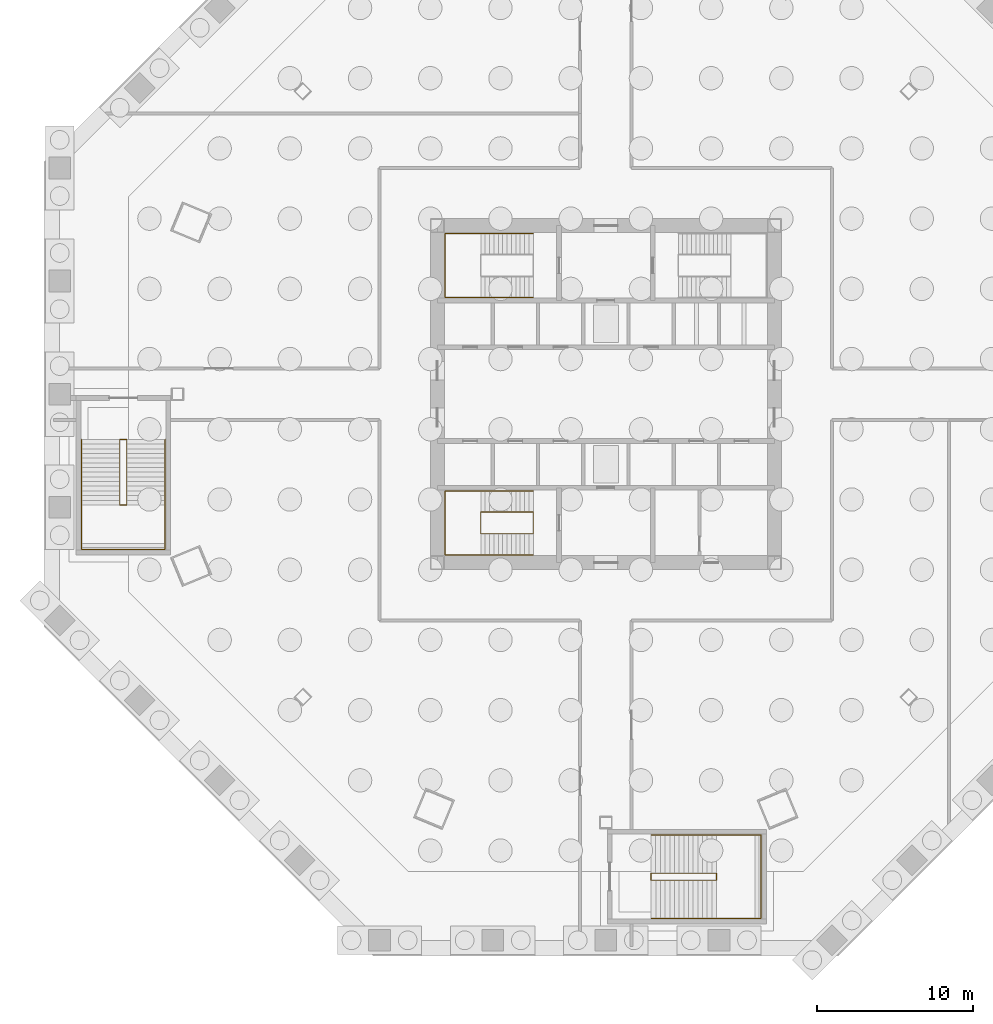
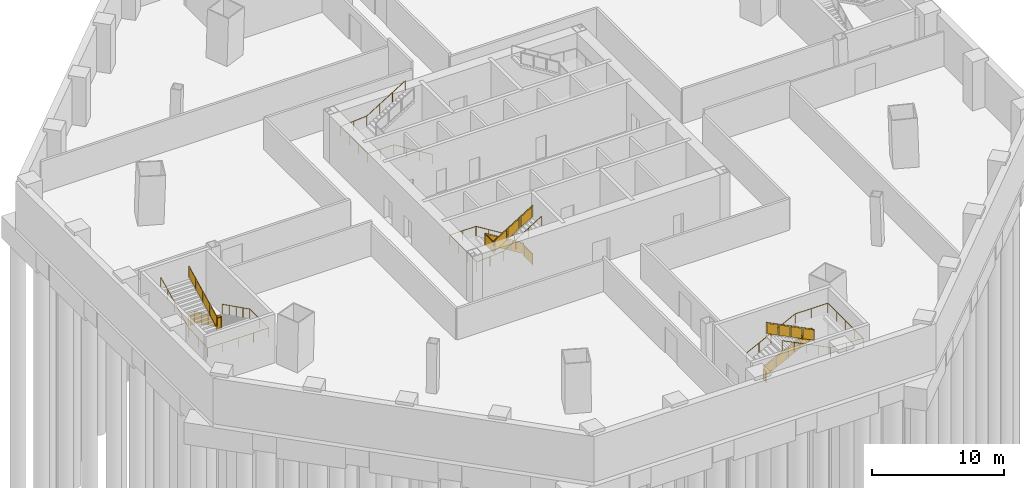
# One storey, part 8 of 11: 7 railings.
"""IFC4 building model written with IfcOpenShell, lengths in metres."""

from ifc_helpers import new_model, si_unit, direction, frame, origin, origin_2d, place, context, subcontext, project, spatial, polyline, circle, outline, extrude, material, type_object, element, save


model = new_model("IFC4")

# Units and contexts
model_context = context("Model", 3, precision=1e-05, world=origin(), true_north=direction((0.0, 1.0)))
body_context = subcontext(model_context, "Body", "Model", "MODEL_VIEW")
ifc_project = project(units=[si_unit("LENGTHUNIT", "METRE"), si_unit("AREAUNIT", "SQUARE_METRE"), si_unit("VOLUMEUNIT", "CUBIC_METRE"), si_unit("PLANEANGLEUNIT", "RADIAN"), si_unit("MASSUNIT", "GRAM", prefix="KILO")], contexts=[model_context])

# Site, building, storey
site_placement = place(None, origin())
site = spatial("IfcSite", under=ifc_project, at=site_placement, CompositionType="ELEMENT")
building_placement = place(site_placement, origin())
building = spatial("IfcBuilding", under=site, at=building_placement, Name="Mashrafa Tower", CompositionType="ELEMENT")
storey_placement = place(building_placement, frame((0.0, 0.0, -9.0)))
storey = spatial("IfcBuildingStorey", under=building, at=storey_placement, Name="B2", CompositionType="ELEMENT", Elevation=-9.0)

# Railings
ifc_material_1 = material(Name="Steel guard with glass infill", Category="steel")
railing_type_1 = type_object("IfcRailingType", Name="Stair guard 1100", PredefinedType="GUARDRAIL", material=ifc_material_1)
railing_1_placement = place(storey_placement, frame((-4.64990234375, -8.949951171875, 0.0)))
element("IfcRailing", 1, at=railing_1_placement, inside=storey, type_object=railing_type_1, Name="Stair S3 guard B2", PredefinedType="GUARDRAIL", context=body_context, shape_type="SweptSolid", body=[
    extrude(circle(Radius=0.02392578125, at=origin_2d()), frame((0.0, 0.0, 1.076171875), z_axis=(0.0, 1.0, 0.0), x_axis=(-1.0, 0.0, 0.0)), (0.0, 0.0, 1.0), 1.39990234375),
    extrude(circle(Radius=0.02392578125, at=origin_2d()), frame((0.0, 1.39990234375, 1.076171875), z_axis=(0.0, 0.0, 1.0), x_axis=(1.0, 0.0, 0.0)), (0.0, 0.0, 1.0), 0.173095703125),
    extrude(circle(Radius=0.02392578125, at=origin_2d()), frame((0.0, 1.39990234375, 1.2490234375), z_axis=(-0.850623216509, 0.0, 0.525775754039), x_axis=(0.0, -1.0, 0.0)), (0.0, 0.0, 1.0), 3.9501953125),
    extrude(circle(Radius=0.02392578125, at=origin_2d()), frame((-3.360107421875, 1.39990234375, 3.326171875), z_axis=(0.0, -1.0, 0.0), x_axis=(1.0, 0.0, 0.0)), (0.0, 0.0, 1.0), 1.39990234375),
    extrude(circle(Radius=0.02392578125, at=origin_2d()), frame((-3.360107421875, 0.0, 3.326171875), z_axis=(0.0, 0.0, 1.0), x_axis=(1.0, 0.0, 0.0)), (0.0, 0.0, 1.0), 0.173095703125),
    extrude(circle(Radius=0.02392578125, at=origin_2d()), frame((-3.360107421875, 0.0, 3.4990234375), z_axis=(0.850623216509, 0.0, 0.525775754039), x_axis=(0.0, 1.0, 0.0)), (0.0, 0.0, 1.0), 3.9501953125),
    extrude(circle(Radius=0.02099609375, at=origin_2d()), origin(), (0.0, 0.0, 1.0), 1.052001953125),
    extrude(circle(Radius=0.02099609375, at=origin_2d()), frame((0.0, 1.39990234375, 0.0)), (0.0, 0.0, 1.0), 1.052001953125),
    extrude(circle(Radius=0.02099609375, at=origin_2d()), frame((0.0, 1.39990234375, 0.173095703125)), (0.0, 0.0, 1.0), 1.052001953125),
    extrude(circle(Radius=0.02099609375, at=origin_2d()), frame((-1.1201171875, 1.39990234375, 0.865478515625)), (0.0, 0.0, 1.0), 1.052001953125),
    extrude(circle(Radius=0.02099609375, at=origin_2d()), frame((-2.239990234375, 1.39990234375, 1.5576171875)), (0.0, 0.0, 1.0), 1.052001953125),
    extrude(circle(Radius=0.02099609375, at=origin_2d()), frame((-3.360107421875, 1.39990234375, 2.25)), (0.0, 0.0, 1.0), 1.052001953125),
    extrude(circle(Radius=0.02099609375, at=origin_2d()), frame((-3.360107421875, 0.0, 2.25)), (0.0, 0.0, 1.0), 1.052001953125),
    extrude(circle(Radius=0.02099609375, at=origin_2d()), frame((-3.360107421875, 0.0, 2.423095703125)), (0.0, 0.0, 1.0), 1.052001953125),
    extrude(circle(Radius=0.02099609375, at=origin_2d()), frame((-2.239990234375, 0.0, 3.115478515625)), (0.0, 0.0, 1.0), 1.052001953125),
    extrude(circle(Radius=0.02099609375, at=origin_2d()), frame((-1.1201171875, 0.0, 3.8076171875)), (0.0, 0.0, 1.0), 1.052001953125),
    extrude(circle(Radius=0.02099609375, at=origin_2d()), frame((0.0, 0.0, 4.5)), (0.0, 0.0, 1.0), 1.052001953125),
    extrude(outline(polyline([(0.071044921875, 0.050048828125), (1.328857421875, 0.050048828125), (1.328857421875, 1.001953125), (0.071044921875, 1.001953125), (0.071044921875, 0.050048828125)])), frame((0.006103515625, 0.0, 0.0), z_axis=(1.0, 0.0, 0.0), x_axis=(0.0, 1.0, 0.0)), (0.0, 0.0, 1.0), 0.011962890625),
    extrude(outline(polyline([(0.071044921875, 0.093994140625), (1.049072265625, 0.698486328125), (1.049072265625, 1.650390625), (0.071044921875, 1.0458984375), (0.071044921875, 0.093994140625)])), frame((0.0, 1.406005859375, 0.173095703125), z_axis=(0.0, 1.0, 0.0), x_axis=(-1.0, 0.0, 0.0)), (0.0, 0.0, 1.0), 0.011962890625),
    extrude(outline(polyline([(1.19091796875, 0.7861328125), (2.169189453125, 1.390625), (2.169189453125, 2.3427734375), (1.19091796875, 1.73828125), (1.19091796875, 0.7861328125)])), frame((0.0, 1.406005859375, 0.173095703125), z_axis=(0.0, 1.0, 0.0), x_axis=(-1.0, 0.0, 0.0)), (0.0, 0.0, 1.0), 0.011962890625),
    extrude(outline(polyline([(2.31103515625, 1.478515625), (3.2890625, 2.0830078125), (3.2890625, 3.034912109375), (2.31103515625, 2.430419921875), (2.31103515625, 1.478515625)])), frame((0.0, 1.406005859375, 0.173095703125), z_axis=(0.0, 1.0, 0.0), x_axis=(-1.0, 0.0, 0.0)), (0.0, 0.0, 1.0), 0.011962890625),
    extrude(outline(polyline([(0.071044921875, 0.050048828125), (1.328857421875, 0.050048828125), (1.328857421875, 1.001953125), (0.071044921875, 1.001953125), (0.071044921875, 0.050048828125)])), frame((-3.3662109375, 1.39990234375, 2.25), z_axis=(-1.0, 0.0, 0.0), x_axis=(0.0, -1.0, 0.0)), (0.0, 0.0, 1.0), 0.011962890625),
    extrude(outline(polyline([(0.071044921875, 0.093994140625), (1.049072265625, 0.698486328125), (1.049072265625, 1.650390625), (0.071044921875, 1.0458984375), (0.071044921875, 0.093994140625)])), frame((-3.360107421875, -0.006103515625, 2.423095703125), z_axis=(0.0, -1.0, 0.0), x_axis=(1.0, 0.0, 0.0)), (0.0, 0.0, 1.0), 0.011962890625),
    extrude(outline(polyline([(1.19091796875, 0.7861328125), (2.169189453125, 1.390625), (2.169189453125, 2.3427734375), (1.19091796875, 1.73828125), (1.19091796875, 0.7861328125)])), frame((-3.360107421875, -0.006103515625, 2.423095703125), z_axis=(0.0, -1.0, 0.0), x_axis=(1.0, 0.0, 0.0)), (0.0, 0.0, 1.0), 0.011962890625),
    extrude(outline(polyline([(2.31103515625, 1.478515625), (3.2890625, 2.0830078125), (3.2890625, 3.034912109375), (2.31103515625, 2.430419921875), (2.31103515625, 1.478515625)])), frame((-3.360107421875, -0.006103515625, 2.423095703125), z_axis=(0.0, -1.0, 0.0), x_axis=(1.0, 0.0, 0.0)), (0.0, 0.0, 1.0), 0.011962890625),
])
railing_2_placement = place(storey_placement, frame((-31.14990234375, -2.89990234375, 0.0)))
element("IfcRailing", 2, at=railing_2_placement, inside=storey, type_object=railing_type_1, Name="Stair P3 guard B2", PredefinedType="GUARDRAIL", context=body_context, shape_type="SweptSolid", body=[
    extrude(circle(Radius=0.02392578125, at=origin_2d()), frame((0.0, 0.0, 1.076171875), z_axis=(1.0, 0.0, 0.0), x_axis=(0.0, 1.0, 0.0)), (0.0, 0.0, 1.0), 0.449951171875),
    extrude(circle(Radius=0.02392578125, at=origin_2d()), frame((0.449951171875, 0.0, 1.076171875), z_axis=(0.0, 0.0, 1.0), x_axis=(1.0, 0.0, 0.0)), (0.0, 0.0, 1.0), 0.14990234375),
    extrude(circle(Radius=0.02392578125, at=origin_2d()), frame((0.449951171875, 0.0, 1.22607421875), z_axis=(0.0, -0.894427191, 0.4472135955), x_axis=(1.0, 0.0, 0.0)), (0.0, 0.0, 1.0), 4.696044921875),
    extrude(circle(Radius=0.02392578125, at=origin_2d()), frame((0.449951171875, -4.2001953125, 3.326171875), z_axis=(-1.0, 0.0, 0.0), x_axis=(0.0, -1.0, 0.0)), (0.0, 0.0, 1.0), 0.449951171875),
    extrude(circle(Radius=0.02392578125, at=origin_2d()), frame((0.0, -4.2001953125, 3.326171875), z_axis=(0.0, 0.0, 1.0), x_axis=(1.0, 0.0, 0.0)), (0.0, 0.0, 1.0), 0.14990234375),
    extrude(circle(Radius=0.02392578125, at=origin_2d()), frame((0.0, -4.2001953125, 3.47607421875), z_axis=(0.0, 0.894427191, 0.4472135955), x_axis=(-1.0, 0.0, 0.0)), (0.0, 0.0, 1.0), 4.696044921875),
    extrude(circle(Radius=0.02099609375, at=origin_2d()), origin(), (0.0, 0.0, 1.0), 1.052001953125),
    extrude(circle(Radius=0.02099609375, at=origin_2d()), frame((0.449951171875, 0.0, 0.0)), (0.0, 0.0, 1.0), 1.052001953125),
    extrude(circle(Radius=0.02099609375, at=origin_2d()), frame((0.449951171875, 0.0, 0.14990234375)), (0.0, 0.0, 1.0), 1.052001953125),
    extrude(circle(Radius=0.02099609375, at=origin_2d()), frame((0.449951171875, -1.050048828125, 0.6748046875)), (0.0, 0.0, 1.0), 1.052001953125),
    extrude(circle(Radius=0.02099609375, at=origin_2d()), frame((0.449951171875, -2.10009765625, 1.199951171875)), (0.0, 0.0, 1.0), 1.052001953125),
    extrude(circle(Radius=0.02099609375, at=origin_2d()), frame((0.449951171875, -3.150146484375, 1.72509765625)), (0.0, 0.0, 1.0), 1.052001953125),
    extrude(circle(Radius=0.02099609375, at=origin_2d()), frame((0.449951171875, -4.2001953125, 2.25)), (0.0, 0.0, 1.0), 1.052001953125),
    extrude(circle(Radius=0.02099609375, at=origin_2d()), frame((0.0, -4.2001953125, 2.25)), (0.0, 0.0, 1.0), 1.052001953125),
    extrude(circle(Radius=0.02099609375, at=origin_2d()), frame((0.0, -4.2001953125, 2.39990234375)), (0.0, 0.0, 1.0), 1.052001953125),
    extrude(circle(Radius=0.02099609375, at=origin_2d()), frame((0.0, -3.150146484375, 2.9248046875)), (0.0, 0.0, 1.0), 1.052001953125),
    extrude(circle(Radius=0.02099609375, at=origin_2d()), frame((0.0, -2.10009765625, 3.449951171875)), (0.0, 0.0, 1.0), 1.052001953125),
    extrude(circle(Radius=0.02099609375, at=origin_2d()), frame((0.0, -1.050048828125, 3.97509765625)), (0.0, 0.0, 1.0), 1.052001953125),
    extrude(circle(Radius=0.02099609375, at=origin_2d()), frame((0.0, 0.0, 4.5)), (0.0, 0.0, 1.0), 1.052001953125),
    extrude(outline(polyline([(0.071044921875, 0.050048828125), (0.37890625, 0.050048828125), (0.37890625, 1.001953125), (0.071044921875, 1.001953125), (0.071044921875, 0.050048828125)])), frame((0.0, -0.006103515625, 0.0), z_axis=(0.0, -1.0, 0.0), x_axis=(1.0, 0.0, 0.0)), (0.0, 0.0, 1.0), 0.011962890625),
    extrude(outline(polyline([(0.071044921875, 0.08544921875), (0.97900390625, 0.53955078125), (0.97900390625, 1.491455078125), (0.071044921875, 1.03759765625), (0.071044921875, 0.08544921875)])), frame((0.44384765625, 0.0, 0.14990234375), z_axis=(-1.0, 0.0, 0.0), x_axis=(0.0, -1.0, 0.0)), (0.0, 0.0, 1.0), 0.011962890625),
    extrude(outline(polyline([(1.12109375, 0.610595703125), (2.029052734375, 1.064453125), (2.029052734375, 2.0166015625), (1.12109375, 1.5625), (1.12109375, 0.610595703125)])), frame((0.44384765625, 0.0, 0.14990234375), z_axis=(-1.0, 0.0, 0.0), x_axis=(0.0, -1.0, 0.0)), (0.0, 0.0, 1.0), 0.011962890625),
    extrude(outline(polyline([(2.171142578125, 1.135498046875), (3.0791015625, 1.589599609375), (3.0791015625, 2.54150390625), (2.171142578125, 2.087646484375), (2.171142578125, 1.135498046875)])), frame((0.44384765625, 0.0, 0.14990234375), z_axis=(-1.0, 0.0, 0.0), x_axis=(0.0, -1.0, 0.0)), (0.0, 0.0, 1.0), 0.011962890625),
    extrude(outline(polyline([(3.22119140625, 1.66064453125), (4.129150390625, 2.114501953125), (4.129150390625, 3.066650390625), (3.22119140625, 2.612548828125), (3.22119140625, 1.66064453125)])), frame((0.44384765625, 0.0, 0.14990234375), z_axis=(-1.0, 0.0, 0.0), x_axis=(0.0, -1.0, 0.0)), (0.0, 0.0, 1.0), 0.011962890625),
    extrude(outline(polyline([(0.071044921875, 0.050048828125), (0.37890625, 0.050048828125), (0.37890625, 1.001953125), (0.071044921875, 1.001953125), (0.071044921875, 0.050048828125)])), frame((0.449951171875, -4.194091796875, 2.25), z_axis=(0.0, 1.0, 0.0), x_axis=(-1.0, 0.0, 0.0)), (0.0, 0.0, 1.0), 0.011962890625),
    extrude(outline(polyline([(0.071044921875, 0.08544921875), (0.97900390625, 0.53955078125), (0.97900390625, 1.491455078125), (0.071044921875, 1.03759765625), (0.071044921875, 0.08544921875)])), frame((0.006103515625, -4.2001953125, 2.39990234375), z_axis=(1.0, 0.0, 0.0), x_axis=(0.0, 1.0, 0.0)), (0.0, 0.0, 1.0), 0.011962890625),
    extrude(outline(polyline([(1.12109375, 0.610595703125), (2.029052734375, 1.064453125), (2.029052734375, 2.0166015625), (1.12109375, 1.5625), (1.12109375, 0.610595703125)])), frame((0.006103515625, -4.2001953125, 2.39990234375), z_axis=(1.0, 0.0, 0.0), x_axis=(0.0, 1.0, 0.0)), (0.0, 0.0, 1.0), 0.011962890625),
    extrude(outline(polyline([(2.171142578125, 1.135498046875), (3.0791015625, 1.589599609375), (3.0791015625, 2.54150390625), (2.171142578125, 2.087646484375), (2.171142578125, 1.135498046875)])), frame((0.006103515625, -4.2001953125, 2.39990234375), z_axis=(1.0, 0.0, 0.0), x_axis=(0.0, 1.0, 0.0)), (0.0, 0.0, 1.0), 0.011962890625),
    extrude(outline(polyline([(3.22119140625, 1.66064453125), (4.129150390625, 2.114501953125), (4.129150390625, 3.066650390625), (3.22119140625, 2.612548828125), (3.22119140625, 1.66064453125)])), frame((0.006103515625, -4.2001953125, 2.39990234375), z_axis=(1.0, 0.0, 0.0), x_axis=(0.0, 1.0, 0.0)), (0.0, 0.0, 1.0), 0.011962890625),
])
railing_3_placement = place(storey_placement, frame((2.89990234375, -31.14990234375, 0.0)))
element("IfcRailing", 3, at=railing_3_placement, inside=storey, type_object=railing_type_1, Name="Stair P4 guard B2", PredefinedType="GUARDRAIL", context=body_context, shape_type="SweptSolid", body=[
    extrude(circle(Radius=0.02392578125, at=origin_2d()), frame((0.0, 0.0, 1.076171875), z_axis=(0.0, 1.0, 0.0), x_axis=(-1.0, 0.0, 0.0)), (0.0, 0.0, 1.0), 0.449951171875),
    extrude(circle(Radius=0.02392578125, at=origin_2d()), frame((0.0, 0.449951171875, 1.076171875), z_axis=(0.0, 0.0, 1.0), x_axis=(1.0, 0.0, 0.0)), (0.0, 0.0, 1.0), 0.14990234375),
    extrude(circle(Radius=0.02392578125, at=origin_2d()), frame((0.0, 0.449951171875, 1.22607421875), z_axis=(0.894427191, 0.0, 0.4472135955), x_axis=(0.0, 1.0, 0.0)), (0.0, 0.0, 1.0), 4.696044921875),
    extrude(circle(Radius=0.02392578125, at=origin_2d()), frame((4.2001953125, 0.449951171875, 3.326171875), z_axis=(0.0, -1.0, 0.0), x_axis=(1.0, 0.0, 0.0)), (0.0, 0.0, 1.0), 0.449951171875),
    extrude(circle(Radius=0.02392578125, at=origin_2d()), frame((4.2001953125, 0.0, 3.326171875), z_axis=(0.0, 0.0, 1.0), x_axis=(1.0, 0.0, 0.0)), (0.0, 0.0, 1.0), 0.14990234375),
    extrude(circle(Radius=0.02392578125, at=origin_2d()), frame((4.2001953125, 0.0, 3.47607421875), z_axis=(-0.894427191, 0.0, 0.4472135955), x_axis=(0.0, -1.0, 0.0)), (0.0, 0.0, 1.0), 4.696044921875),
    extrude(circle(Radius=0.02099609375, at=origin_2d()), origin(), (0.0, 0.0, 1.0), 1.052001953125),
    extrude(circle(Radius=0.02099609375, at=origin_2d()), frame((0.0, 0.449951171875, 0.0)), (0.0, 0.0, 1.0), 1.052001953125),
    extrude(circle(Radius=0.02099609375, at=origin_2d()), frame((0.0, 0.449951171875, 0.14990234375)), (0.0, 0.0, 1.0), 1.052001953125),
    extrude(circle(Radius=0.02099609375, at=origin_2d()), frame((1.050048828125, 0.449951171875, 0.6748046875)), (0.0, 0.0, 1.0), 1.052001953125),
    extrude(circle(Radius=0.02099609375, at=origin_2d()), frame((2.10009765625, 0.449951171875, 1.199951171875)), (0.0, 0.0, 1.0), 1.052001953125),
    extrude(circle(Radius=0.02099609375, at=origin_2d()), frame((3.150146484375, 0.449951171875, 1.72509765625)), (0.0, 0.0, 1.0), 1.052001953125),
    extrude(circle(Radius=0.02099609375, at=origin_2d()), frame((4.2001953125, 0.449951171875, 2.25)), (0.0, 0.0, 1.0), 1.052001953125),
    extrude(circle(Radius=0.02099609375, at=origin_2d()), frame((4.2001953125, 0.0, 2.25)), (0.0, 0.0, 1.0), 1.052001953125),
    extrude(circle(Radius=0.02099609375, at=origin_2d()), frame((4.2001953125, 0.0, 2.39990234375)), (0.0, 0.0, 1.0), 1.052001953125),
    extrude(circle(Radius=0.02099609375, at=origin_2d()), frame((3.150146484375, 0.0, 2.9248046875)), (0.0, 0.0, 1.0), 1.052001953125),
    extrude(circle(Radius=0.02099609375, at=origin_2d()), frame((2.10009765625, 0.0, 3.449951171875)), (0.0, 0.0, 1.0), 1.052001953125),
    extrude(circle(Radius=0.02099609375, at=origin_2d()), frame((1.050048828125, 0.0, 3.97509765625)), (0.0, 0.0, 1.0), 1.052001953125),
    extrude(circle(Radius=0.02099609375, at=origin_2d()), frame((0.0, 0.0, 4.5)), (0.0, 0.0, 1.0), 1.052001953125),
    extrude(outline(polyline([(0.071044921875, 0.050048828125), (0.37890625, 0.050048828125), (0.37890625, 1.001953125), (0.071044921875, 1.001953125), (0.071044921875, 0.050048828125)])), frame((0.006103515625, 0.0, 0.0), z_axis=(1.0, 0.0, 0.0), x_axis=(0.0, 1.0, 0.0)), (0.0, 0.0, 1.0), 0.011962890625),
    extrude(outline(polyline([(0.071044921875, 0.08544921875), (0.97900390625, 0.53955078125), (0.97900390625, 1.491455078125), (0.071044921875, 1.03759765625), (0.071044921875, 0.08544921875)])), frame((0.0, 0.44384765625, 0.14990234375), z_axis=(0.0, -1.0, 0.0), x_axis=(1.0, 0.0, 0.0)), (0.0, 0.0, 1.0), 0.011962890625),
    extrude(outline(polyline([(1.12109375, 0.610595703125), (2.029052734375, 1.064453125), (2.029052734375, 2.0166015625), (1.12109375, 1.5625), (1.12109375, 0.610595703125)])), frame((0.0, 0.44384765625, 0.14990234375), z_axis=(0.0, -1.0, 0.0), x_axis=(1.0, 0.0, 0.0)), (0.0, 0.0, 1.0), 0.011962890625),
    extrude(outline(polyline([(2.171142578125, 1.135498046875), (3.0791015625, 1.589599609375), (3.0791015625, 2.54150390625), (2.171142578125, 2.087646484375), (2.171142578125, 1.135498046875)])), frame((0.0, 0.44384765625, 0.14990234375), z_axis=(0.0, -1.0, 0.0), x_axis=(1.0, 0.0, 0.0)), (0.0, 0.0, 1.0), 0.011962890625),
    extrude(outline(polyline([(3.22119140625, 1.66064453125), (4.129150390625, 2.114501953125), (4.129150390625, 3.066650390625), (3.22119140625, 2.612548828125), (3.22119140625, 1.66064453125)])), frame((0.0, 0.44384765625, 0.14990234375), z_axis=(0.0, -1.0, 0.0), x_axis=(1.0, 0.0, 0.0)), (0.0, 0.0, 1.0), 0.011962890625),
    extrude(outline(polyline([(0.071044921875, 0.050048828125), (0.37890625, 0.050048828125), (0.37890625, 1.001953125), (0.071044921875, 1.001953125), (0.071044921875, 0.050048828125)])), frame((4.194091796875, 0.449951171875, 2.25), z_axis=(-1.0, 0.0, 0.0), x_axis=(0.0, -1.0, 0.0)), (0.0, 0.0, 1.0), 0.011962890625),
    extrude(outline(polyline([(0.071044921875, 0.08544921875), (0.97900390625, 0.53955078125), (0.97900390625, 1.491455078125), (0.071044921875, 1.03759765625), (0.071044921875, 0.08544921875)])), frame((4.2001953125, 0.006103515625, 2.39990234375), z_axis=(0.0, 1.0, 0.0), x_axis=(-1.0, 0.0, 0.0)), (0.0, 0.0, 1.0), 0.011962890625),
    extrude(outline(polyline([(1.12109375, 0.610595703125), (2.029052734375, 1.064453125), (2.029052734375, 2.0166015625), (1.12109375, 1.5625), (1.12109375, 0.610595703125)])), frame((4.2001953125, 0.006103515625, 2.39990234375), z_axis=(0.0, 1.0, 0.0), x_axis=(-1.0, 0.0, 0.0)), (0.0, 0.0, 1.0), 0.011962890625),
    extrude(outline(polyline([(2.171142578125, 1.135498046875), (3.0791015625, 1.589599609375), (3.0791015625, 2.54150390625), (2.171142578125, 2.087646484375), (2.171142578125, 1.135498046875)])), frame((4.2001953125, 0.006103515625, 2.39990234375), z_axis=(0.0, 1.0, 0.0), x_axis=(-1.0, 0.0, 0.0)), (0.0, 0.0, 1.0), 0.011962890625),
    extrude(outline(polyline([(3.22119140625, 1.66064453125), (4.129150390625, 2.114501953125), (4.129150390625, 3.066650390625), (3.22119140625, 2.612548828125), (3.22119140625, 1.66064453125)])), frame((4.2001953125, 0.006103515625, 2.39990234375), z_axis=(0.0, 1.0, 0.0), x_axis=(-1.0, 0.0, 0.0)), (0.0, 0.0, 1.0), 0.011962890625),
])
ifc_material_2 = material(Name="Steel", Category="steel")
railing_type_2 = type_object("IfcRailingType", Name="Stair handrail 900", PredefinedType="HANDRAIL", material=ifc_material_2)
railing_4_placement = place(storey_placement, frame((-4.64990234375, 6.199951171875, 0.173095703125)))
element("IfcRailing", 4, at=railing_4_placement, inside=storey, type_object=railing_type_2, Name="Stair S1 handrail B2", PredefinedType="HANDRAIL", context=body_context, shape_type="SweptSolid", body=[
    extrude(circle(Radius=0.02392578125, at=origin_2d()), frame((0.0, 0.0, 0.8759765625), z_axis=(-0.850623216509, 0.0, 0.525775754039), x_axis=(0.0, -1.0, 0.0)), (0.0, 0.0, 1.0), 3.9501953125),
    extrude(circle(Radius=0.02392578125, at=origin_2d()), frame((-3.360107421875, 0.0, 2.95263671875), z_axis=(-1.0, 0.0, 0.0), x_axis=(0.0, -1.0, 0.0)), (0.0, 0.0, 1.0), 2.2900390625),
    extrude(circle(Radius=0.02392578125, at=origin_2d()), frame((-5.650146484375, 0.0, 2.95263671875), z_axis=(0.0, 1.0, 0.0), x_axis=(-1.0, 0.0, 0.0)), (0.0, 0.0, 1.0), 4.10009765625),
    extrude(circle(Radius=0.02392578125, at=origin_2d()), frame((-5.650146484375, 4.10009765625, 2.95263671875), z_axis=(0.99715553422, 0.0, 0.075371351147), x_axis=(0.0, 1.0, 0.0)), (0.0, 0.0, 1.0), 2.296630859375),
    extrude(circle(Radius=0.02392578125, at=origin_2d()), frame((-3.360107421875, 4.10009765625, 3.1259765625), z_axis=(0.850623216509, 0.0, 0.525775754039), x_axis=(0.0, 1.0, 0.0)), (0.0, 0.0, 1.0), 3.9501953125),
    extrude(circle(Radius=0.02099609375, at=origin_2d()), origin(), (0.0, 0.0, 1.0), 0.851806640625),
    extrude(circle(Radius=0.02099609375, at=origin_2d()), frame((-1.1201171875, 0.0, 0.6923828125)), (0.0, 0.0, 1.0), 0.851806640625),
    extrude(circle(Radius=0.02099609375, at=origin_2d()), frame((-2.239990234375, 0.0, 1.384521484375)), (0.0, 0.0, 1.0), 0.851806640625),
    extrude(circle(Radius=0.02099609375, at=origin_2d()), frame((-3.360107421875, 0.0, 2.076904296875)), (0.0, 0.0, 1.0), 0.851806640625),
    extrude(circle(Radius=0.02099609375, at=origin_2d()), frame((-4.505126953125, 0.0, 2.076904296875)), (0.0, 0.0, 1.0), 0.851806640625),
    extrude(circle(Radius=0.02099609375, at=origin_2d()), frame((-5.650146484375, 0.0, 2.076904296875)), (0.0, 0.0, 1.0), 0.851806640625),
    extrude(circle(Radius=0.02099609375, at=origin_2d()), frame((-5.650146484375, 1.36669921875, 2.076904296875)), (0.0, 0.0, 1.0), 0.851806640625),
    extrude(circle(Radius=0.02099609375, at=origin_2d()), frame((-5.650146484375, 2.7333984375, 2.076904296875)), (0.0, 0.0, 1.0), 0.851806640625),
    extrude(circle(Radius=0.02099609375, at=origin_2d()), frame((-5.650146484375, 4.10009765625, 2.076904296875)), (0.0, 0.0, 1.0), 0.851806640625),
    extrude(circle(Radius=0.02099609375, at=origin_2d()), frame((-4.505126953125, 4.10009765625, 2.16357421875)), (0.0, 0.0, 1.0), 0.851806640625),
    extrude(circle(Radius=0.02099609375, at=origin_2d()), frame((-3.360107421875, 4.10009765625, 2.25)), (0.0, 0.0, 1.0), 0.851806640625),
    extrude(circle(Radius=0.02099609375, at=origin_2d()), frame((-2.239990234375, 4.10009765625, 2.9423828125)), (0.0, 0.0, 1.0), 0.851806640625),
    extrude(circle(Radius=0.02099609375, at=origin_2d()), frame((-1.1201171875, 4.10009765625, 3.634521484375)), (0.0, 0.0, 1.0), 0.851806640625),
    extrude(circle(Radius=0.02099609375, at=origin_2d()), frame((0.0, 4.10009765625, 4.326904296875)), (0.0, 0.0, 1.0), 0.851806640625),
])
railing_5_placement = place(storey_placement, frame((-4.64990234375, -6.199951171875, 0.173095703125)))
element("IfcRailing", 5, at=railing_5_placement, inside=storey, type_object=railing_type_2, Name="Stair S3 handrail B2", PredefinedType="HANDRAIL", context=body_context, shape_type="SweptSolid", body=[
    extrude(circle(Radius=0.02392578125, at=origin_2d()), frame((0.0, 0.0, 0.8759765625), z_axis=(-0.850623216509, 0.0, 0.525775754039), x_axis=(0.0, -1.0, 0.0)), (0.0, 0.0, 1.0), 3.9501953125),
    extrude(circle(Radius=0.02392578125, at=origin_2d()), frame((-3.360107421875, 0.0, 2.95263671875), z_axis=(-1.0, 0.0, 0.0), x_axis=(0.0, -1.0, 0.0)), (0.0, 0.0, 1.0), 2.2900390625),
    extrude(circle(Radius=0.02392578125, at=origin_2d()), frame((-5.650146484375, 0.0, 2.95263671875), z_axis=(0.0, -1.0, 0.0), x_axis=(1.0, 0.0, 0.0)), (0.0, 0.0, 1.0), 4.10009765625),
    extrude(circle(Radius=0.02392578125, at=origin_2d()), frame((-5.650146484375, -4.10009765625, 2.95263671875), z_axis=(0.99715553422, 0.0, 0.075371351147), x_axis=(0.0, 1.0, 0.0)), (0.0, 0.0, 1.0), 2.296630859375),
    extrude(circle(Radius=0.02392578125, at=origin_2d()), frame((-3.360107421875, -4.10009765625, 3.1259765625), z_axis=(0.850623216509, 0.0, 0.525775754039), x_axis=(0.0, 1.0, 0.0)), (0.0, 0.0, 1.0), 3.9501953125),
    extrude(circle(Radius=0.02099609375, at=origin_2d()), origin(), (0.0, 0.0, 1.0), 0.851806640625),
    extrude(circle(Radius=0.02099609375, at=origin_2d()), frame((-1.1201171875, 0.0, 0.6923828125)), (0.0, 0.0, 1.0), 0.851806640625),
    extrude(circle(Radius=0.02099609375, at=origin_2d()), frame((-2.239990234375, 0.0, 1.384521484375)), (0.0, 0.0, 1.0), 0.851806640625),
    extrude(circle(Radius=0.02099609375, at=origin_2d()), frame((-3.360107421875, 0.0, 2.076904296875)), (0.0, 0.0, 1.0), 0.851806640625),
    extrude(circle(Radius=0.02099609375, at=origin_2d()), frame((-4.505126953125, 0.0, 2.076904296875)), (0.0, 0.0, 1.0), 0.851806640625),
    extrude(circle(Radius=0.02099609375, at=origin_2d()), frame((-5.650146484375, 0.0, 2.076904296875)), (0.0, 0.0, 1.0), 0.851806640625),
    extrude(circle(Radius=0.02099609375, at=origin_2d()), frame((-5.650146484375, -1.36669921875, 2.076904296875)), (0.0, 0.0, 1.0), 0.851806640625),
    extrude(circle(Radius=0.02099609375, at=origin_2d()), frame((-5.650146484375, -2.7333984375, 2.076904296875)), (0.0, 0.0, 1.0), 0.851806640625),
    extrude(circle(Radius=0.02099609375, at=origin_2d()), frame((-5.650146484375, -4.10009765625, 2.076904296875)), (0.0, 0.0, 1.0), 0.851806640625),
    extrude(circle(Radius=0.02099609375, at=origin_2d()), frame((-4.505126953125, -4.10009765625, 2.16357421875)), (0.0, 0.0, 1.0), 0.851806640625),
    extrude(circle(Radius=0.02099609375, at=origin_2d()), frame((-3.360107421875, -4.10009765625, 2.25)), (0.0, 0.0, 1.0), 0.851806640625),
    extrude(circle(Radius=0.02099609375, at=origin_2d()), frame((-2.239990234375, -4.10009765625, 2.9423828125)), (0.0, 0.0, 1.0), 0.851806640625),
    extrude(circle(Radius=0.02099609375, at=origin_2d()), frame((-1.1201171875, -4.10009765625, 3.634521484375)), (0.0, 0.0, 1.0), 0.851806640625),
    extrude(circle(Radius=0.02099609375, at=origin_2d()), frame((0.0, -4.10009765625, 4.326904296875)), (0.0, 0.0, 1.0), 0.851806640625),
])
railing_6_placement = place(storey_placement, frame((-28.25, -2.89990234375, 0.14990234375)))
element("IfcRailing", 6, at=railing_6_placement, inside=storey, type_object=railing_type_2, Name="Stair P3 handrail B2", PredefinedType="HANDRAIL", context=body_context, shape_type="SweptSolid", body=[
    extrude(circle(Radius=0.02392578125, at=origin_2d()), frame((0.0, 0.0, 0.8759765625), z_axis=(0.0, -0.894427191, 0.4472135955), x_axis=(1.0, 0.0, 0.0)), (0.0, 0.0, 1.0), 4.696044921875),
    extrude(circle(Radius=0.02392578125, at=origin_2d()), frame((0.0, -4.2001953125, 2.97607421875), z_axis=(0.0, -1.0, 0.0), x_axis=(1.0, 0.0, 0.0)), (0.0, 0.0, 1.0), 2.849853515625),
    extrude(circle(Radius=0.02392578125, at=origin_2d()), frame((0.0, -7.050048828125, 2.97607421875), z_axis=(-1.0, 0.0, 0.0), x_axis=(0.0, -1.0, 0.0)), (0.0, 0.0, 1.0), 5.35009765625),
    extrude(circle(Radius=0.02392578125, at=origin_2d()), frame((-5.35009765625, -7.050048828125, 2.97607421875), z_axis=(0.0, 0.99861948311, 0.052527401922), x_axis=(-1.0, 0.0, 0.0)), (0.0, 0.0, 1.0), 2.853759765625),
    extrude(circle(Radius=0.02392578125, at=origin_2d()), frame((-5.35009765625, -4.2001953125, 3.1259765625), z_axis=(0.0, 0.894427191, 0.4472135955), x_axis=(-1.0, 0.0, 0.0)), (0.0, 0.0, 1.0), 4.696044921875),
    extrude(circle(Radius=0.02099609375, at=origin_2d()), origin(), (0.0, 0.0, 1.0), 0.851806640625),
    extrude(circle(Radius=0.02099609375, at=origin_2d()), frame((0.0, -1.050048828125, 0.52490234375)), (0.0, 0.0, 1.0), 0.851806640625),
    extrude(circle(Radius=0.02099609375, at=origin_2d()), frame((0.0, -2.10009765625, 1.050048828125)), (0.0, 0.0, 1.0), 0.851806640625),
    extrude(circle(Radius=0.02099609375, at=origin_2d()), frame((0.0, -3.150146484375, 1.5751953125)), (0.0, 0.0, 1.0), 0.851806640625),
    extrude(circle(Radius=0.02099609375, at=origin_2d()), frame((0.0, -4.2001953125, 2.10009765625)), (0.0, 0.0, 1.0), 0.851806640625),
    extrude(circle(Radius=0.02099609375, at=origin_2d()), frame((0.0, -5.625, 2.10009765625)), (0.0, 0.0, 1.0), 0.851806640625),
    extrude(circle(Radius=0.02099609375, at=origin_2d()), frame((0.0, -7.050048828125, 2.10009765625)), (0.0, 0.0, 1.0), 0.851806640625),
    extrude(circle(Radius=0.02099609375, at=origin_2d()), frame((-1.33740234375, -7.050048828125, 2.10009765625)), (0.0, 0.0, 1.0), 0.851806640625),
    extrude(circle(Radius=0.02099609375, at=origin_2d()), frame((-2.675048828125, -7.050048828125, 2.10009765625)), (0.0, 0.0, 1.0), 0.851806640625),
    extrude(circle(Radius=0.02099609375, at=origin_2d()), frame((-4.0126953125, -7.050048828125, 2.10009765625)), (0.0, 0.0, 1.0), 0.851806640625),
    extrude(circle(Radius=0.02099609375, at=origin_2d()), frame((-5.35009765625, -7.050048828125, 2.10009765625)), (0.0, 0.0, 1.0), 0.851806640625),
    extrude(circle(Radius=0.02099609375, at=origin_2d()), frame((-5.35009765625, -5.625, 2.175048828125)), (0.0, 0.0, 1.0), 0.851806640625),
    extrude(circle(Radius=0.02099609375, at=origin_2d()), frame((-5.35009765625, -4.2001953125, 2.25)), (0.0, 0.0, 1.0), 0.851806640625),
    extrude(circle(Radius=0.02099609375, at=origin_2d()), frame((-5.35009765625, -3.150146484375, 2.77490234375)), (0.0, 0.0, 1.0), 0.851806640625),
    extrude(circle(Radius=0.02099609375, at=origin_2d()), frame((-5.35009765625, -2.10009765625, 3.300048828125)), (0.0, 0.0, 1.0), 0.851806640625),
    extrude(circle(Radius=0.02099609375, at=origin_2d()), frame((-5.35009765625, -1.050048828125, 3.8251953125)), (0.0, 0.0, 1.0), 0.851806640625),
    extrude(circle(Radius=0.02099609375, at=origin_2d()), frame((-5.35009765625, 0.0, 4.35009765625)), (0.0, 0.0, 1.0), 0.851806640625),
])
railing_7_placement = place(storey_placement, frame((2.89990234375, -28.25, 0.14990234375)))
element("IfcRailing", 7, at=railing_7_placement, inside=storey, type_object=railing_type_2, Name="Stair P4 handrail B2", PredefinedType="HANDRAIL", context=body_context, shape_type="SweptSolid", body=[
    extrude(circle(Radius=0.02392578125, at=origin_2d()), frame((0.0, 0.0, 0.8759765625), z_axis=(0.894427191, 0.0, 0.4472135955), x_axis=(0.0, 1.0, 0.0)), (0.0, 0.0, 1.0), 4.696044921875),
    extrude(circle(Radius=0.02392578125, at=origin_2d()), frame((4.2001953125, 0.0, 2.97607421875), z_axis=(1.0, 0.0, 0.0), x_axis=(0.0, 1.0, 0.0)), (0.0, 0.0, 1.0), 2.849853515625),
    extrude(circle(Radius=0.02392578125, at=origin_2d()), frame((7.050048828125, 0.0, 2.97607421875), z_axis=(0.0, -1.0, 0.0), x_axis=(1.0, 0.0, 0.0)), (0.0, 0.0, 1.0), 5.35009765625),
    extrude(circle(Radius=0.02392578125, at=origin_2d()), frame((7.050048828125, -5.35009765625, 2.97607421875), z_axis=(-0.99861948311, 0.0, 0.052527401922), x_axis=(0.0, -1.0, 0.0)), (0.0, 0.0, 1.0), 2.853759765625),
    extrude(circle(Radius=0.02392578125, at=origin_2d()), frame((4.2001953125, -5.35009765625, 3.1259765625), z_axis=(-0.894427191, 0.0, 0.4472135955), x_axis=(0.0, -1.0, 0.0)), (0.0, 0.0, 1.0), 4.696044921875),
    extrude(circle(Radius=0.02099609375, at=origin_2d()), origin(), (0.0, 0.0, 1.0), 0.851806640625),
    extrude(circle(Radius=0.02099609375, at=origin_2d()), frame((1.050048828125, 0.0, 0.52490234375)), (0.0, 0.0, 1.0), 0.851806640625),
    extrude(circle(Radius=0.02099609375, at=origin_2d()), frame((2.10009765625, 0.0, 1.050048828125)), (0.0, 0.0, 1.0), 0.851806640625),
    extrude(circle(Radius=0.02099609375, at=origin_2d()), frame((3.150146484375, 0.0, 1.5751953125)), (0.0, 0.0, 1.0), 0.851806640625),
    extrude(circle(Radius=0.02099609375, at=origin_2d()), frame((4.2001953125, 0.0, 2.10009765625)), (0.0, 0.0, 1.0), 0.851806640625),
    extrude(circle(Radius=0.02099609375, at=origin_2d()), frame((5.625, 0.0, 2.10009765625)), (0.0, 0.0, 1.0), 0.851806640625),
    extrude(circle(Radius=0.02099609375, at=origin_2d()), frame((7.050048828125, 0.0, 2.10009765625)), (0.0, 0.0, 1.0), 0.851806640625),
    extrude(circle(Radius=0.02099609375, at=origin_2d()), frame((7.050048828125, -1.33740234375, 2.10009765625)), (0.0, 0.0, 1.0), 0.851806640625),
    extrude(circle(Radius=0.02099609375, at=origin_2d()), frame((7.050048828125, -2.675048828125, 2.10009765625)), (0.0, 0.0, 1.0), 0.851806640625),
    extrude(circle(Radius=0.02099609375, at=origin_2d()), frame((7.050048828125, -4.0126953125, 2.10009765625)), (0.0, 0.0, 1.0), 0.851806640625),
    extrude(circle(Radius=0.02099609375, at=origin_2d()), frame((7.050048828125, -5.35009765625, 2.10009765625)), (0.0, 0.0, 1.0), 0.851806640625),
    extrude(circle(Radius=0.02099609375, at=origin_2d()), frame((5.625, -5.35009765625, 2.175048828125)), (0.0, 0.0, 1.0), 0.851806640625),
    extrude(circle(Radius=0.02099609375, at=origin_2d()), frame((4.2001953125, -5.35009765625, 2.25)), (0.0, 0.0, 1.0), 0.851806640625),
    extrude(circle(Radius=0.02099609375, at=origin_2d()), frame((3.150146484375, -5.35009765625, 2.77490234375)), (0.0, 0.0, 1.0), 0.851806640625),
    extrude(circle(Radius=0.02099609375, at=origin_2d()), frame((2.10009765625, -5.35009765625, 3.300048828125)), (0.0, 0.0, 1.0), 0.851806640625),
    extrude(circle(Radius=0.02099609375, at=origin_2d()), frame((1.050048828125, -5.35009765625, 3.8251953125)), (0.0, 0.0, 1.0), 0.851806640625),
    extrude(circle(Radius=0.02099609375, at=origin_2d()), frame((0.0, -5.35009765625, 4.35009765625)), (0.0, 0.0, 1.0), 0.851806640625),
])

save(model, "model.ifc")
